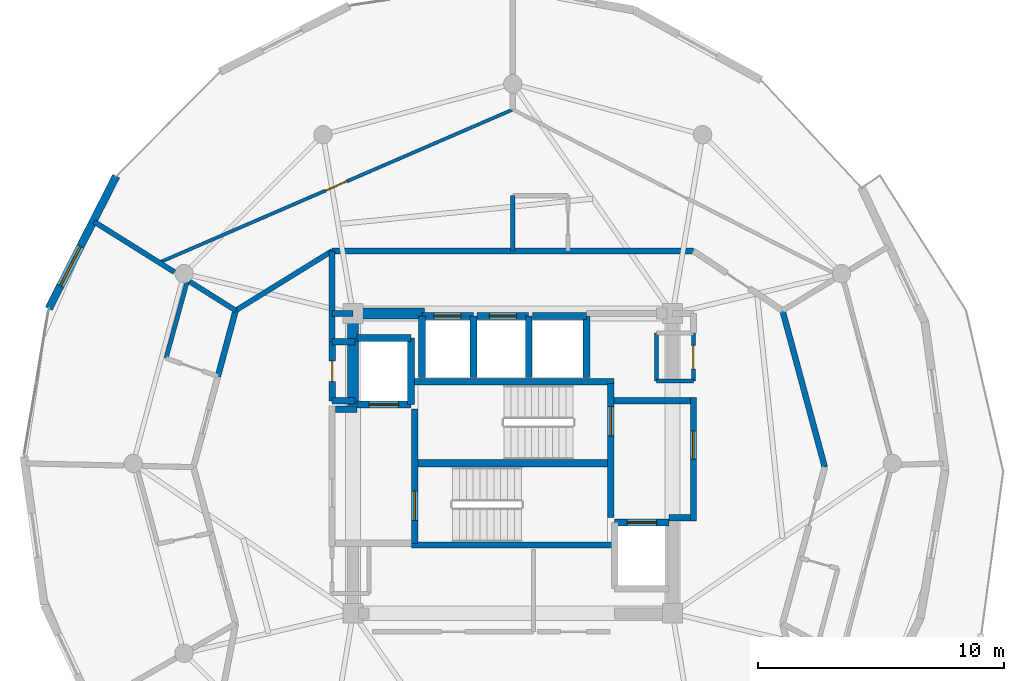
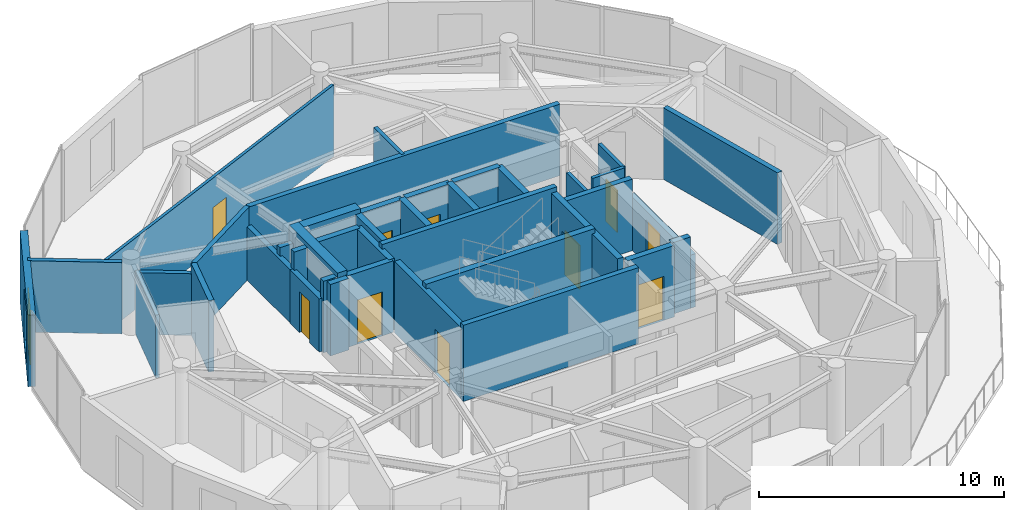
# One storey, part 19 of 23: 40 walls, 10 doors, 1 window, 11 openings.
"""IFC4 building model written with IfcOpenShell, lengths in metres."""

from ifc_helpers import new_model, si_unit, direction, frame, frame_2d, origin, place, context, subcontext, project, spatial, rectangle, extrude, material, layer, layer_set, type_object, element, fill, save


model = new_model("IFC4")

# Units and contexts
model_context = context("Model", 3, precision=1e-05, world=origin(), true_north=direction((0.0, 1.0)))
body_context = subcontext(model_context, "Body", "Model", "MODEL_VIEW")
ifc_project = project(units=[si_unit("LENGTHUNIT", "METRE"), si_unit("AREAUNIT", "SQUARE_METRE"), si_unit("VOLUMEUNIT", "CUBIC_METRE"), si_unit("PLANEANGLEUNIT", "RADIAN"), si_unit("MASSUNIT", "GRAM", prefix="KILO")], contexts=[model_context])

# Site, building, storey
site_placement = place(None, origin())
site = spatial("IfcSite", under=ifc_project, at=site_placement, CompositionType="ELEMENT")
building_placement = place(site_placement, origin())
building = spatial("IfcBuilding", under=site, at=building_placement, Name="Solvirekh Grand Hotel", CompositionType="ELEMENT")
storey_placement = place(building_placement, frame((0.0, 0.0, 282.0)))
storey = spatial("IfcBuildingStorey", under=building, at=storey_placement, Name="L73", CompositionType="ELEMENT", Elevation=282.0)

# Walls
ifc_material_1 = material(Name="Concrete C50/60", Category="concrete")
ifc_layer_1 = layer(ifc_material_1, 0.35009765625)
ifc_layer_set_1 = layer_set([ifc_layer_1], Name="Concrete C50/60")
wall_type_1 = type_object("IfcWallType", Name="CoreDivWall_RC350", PredefinedType="SOLIDWALL", material=ifc_layer_set_1)
for number, where, z_axis, x_axis, name in (
    (1, (-4.1298828125, -3.324951171875, 0.0), (0.0, 0.0, 1.0), (1.0, 0.0, 0.0), "L73 core stair box wall ST-S"),
    (2, (-4.1298828125, 3.324951171875, 0.0), (0.0, 0.0, 1.0), (1.0, 0.0, 0.0), "L73 core stair box wall ST-N"),
):
    element("IfcWall", number, at=place(storey_placement, frame(where, z_axis=z_axis, x_axis=x_axis)), inside=storey, type_object=wall_type_1, Name=name, PredefinedType="SOLIDWALL", context=body_context, shape_type="SweptSolid", body=[
        extrude(rectangle(XDim=8.259765625, YDim=0.25, at=frame_2d((4.1298828125, 0.0))), origin(), (0.0, 0.0, 1.0), 3.800048828125),
    ])

# Wall, opening, door
ifc_material_2 = material(Name="Concrete C40/50", Category="concrete")
ifc_layer_2 = layer(ifc_material_2, 0.280029296875)
ifc_layer_set_2 = layer_set([ifc_layer_2], Name="Concrete C40/50")
wall_type_2 = type_object("IfcWallType", Name="CoreShaftWall_RC280", PredefinedType="SOLIDWALL", material=ifc_layer_set_2)
wall_1_placement = place(storey_placement, frame((-1.60009765625, 6.0, 0.0), z_axis=(0.0, 0.0, 1.0), x_axis=(-1.0, 0.0, 0.0)))
wall_1 = element("IfcWall", 3, at=wall_1_placement, inside=storey, type_object=wall_type_2, Name="L73 HP-1 hoistway N wall", PredefinedType="SOLIDWALL", context=body_context, shape_type="SweptSolid", body=[
    extrude(rectangle(XDim=2.099853515625, YDim=0.280029296875, at=frame_2d((1.0498046875, 0.0))), origin(), (0.0, 0.0, 1.0), 3.570068359375),
])
opening_1_placement = place(wall_1_placement, frame((0.5, 0.0, 0.0)))
opening_1 = element("IfcOpeningElement", 4, at=opening_1_placement, cuts=wall_1, Name="Opening LD01", PredefinedType="OPENING", context=body_context, shape_type="SweptSolid", body=[
    extrude(rectangle(XDim=1.10009765625, YDim=2.199951171875, at=frame_2d((0.550048828125, 1.10009765625))), frame((0.0, 0.14990234375, 0.0), z_axis=(0.0, -1.0, 0.0), x_axis=(1.0, 0.0, 0.0)), (0.0, 0.0, 1.0), 0.300048828125),
])
ifc_material_3 = material(Name="Fire-Rated Steel Door Assembly", Category="steel")
door_type_1 = type_object("IfcDoorType", Name="Door_LiftLanding_1100X2200", OperationType="SLIDING_TO_LEFT", PredefinedType="DOOR", material=ifc_material_3)
door_1_placement = place(opening_1_placement, origin())
door_1 = element("IfcDoor", 5, at=door_1_placement, inside=storey, type_object=door_type_1, Name="L73 HP-1 sliding lift landing door", OperationType="SLIDING_TO_LEFT", OverallHeight=2.199951171875, OverallWidth=1.10009765625, PredefinedType="DOOR", context=body_context, shape_type="SweptSolid", body=[
    extrude(rectangle(XDim=1.10009765625, YDim=2.199951171875, at=frame_2d((0.550048828125, 1.10009765625))), frame((0.0, 0.02490234375, 0.0), z_axis=(0.0, -1.0, 0.0), x_axis=(1.0, 0.0, 0.0)), (0.0, 0.0, 1.0), 0.050048828125),
])
fill(opening_1, door_1)

# Walls
for number, where, z_axis, x_axis, name in (
    (6, (-3.699951171875, 6.0, 0.0), (0.0, 0.0, 1.0), (0.0, -1.0, 0.0), "L73 HP-1 hoistway W wall"),
    (7, (-1.60009765625, 3.5, 0.0), (0.0, 0.0, 1.0), (0.0, 1.0, 0.0), "L73 HP-1 hoistway E wall"),
):
    element("IfcWall", number, at=place(storey_placement, frame(where, z_axis=z_axis, x_axis=x_axis)), inside=storey, type_object=wall_type_2, Name=name, PredefinedType="SOLIDWALL", context=body_context, shape_type="SweptSolid", body=[
        extrude(rectangle(XDim=2.5, YDim=0.280029296875, at=frame_2d((1.25, 0.0))), origin(), (0.0, 0.0, 1.0), 3.570068359375),
    ])

# Wall, opening, door
wall_2_placement = place(storey_placement, frame((0.64990234375, 6.0, 0.0), z_axis=(0.0, 0.0, 1.0), x_axis=(-1.0, 0.0, 0.0)))
wall_2 = element("IfcWall", 8, at=wall_2_placement, inside=storey, type_object=wall_type_2, Name="L73 HP-2 hoistway N wall", PredefinedType="SOLIDWALL", context=body_context, shape_type="SweptSolid", body=[
    extrude(rectangle(XDim=2.099853515625, YDim=0.280029296875, at=frame_2d((1.0498046875, 0.0))), origin(), (0.0, 0.0, 1.0), 3.570068359375),
])
opening_2_placement = place(wall_2_placement, frame((0.5, 0.0, 0.0)))
opening_2 = element("IfcOpeningElement", 9, at=opening_2_placement, cuts=wall_2, Name="Opening LD01", PredefinedType="OPENING", context=body_context, shape_type="SweptSolid", body=[
    extrude(rectangle(XDim=1.10009765625, YDim=2.199951171875, at=frame_2d((0.550048828125, 1.10009765625))), frame((0.0, 0.14990234375, 0.0), z_axis=(0.0, -1.0, 0.0), x_axis=(1.0, 0.0, 0.0)), (0.0, 0.0, 1.0), 0.300048828125),
])
door_2_placement = place(opening_2_placement, origin())
door_2 = element("IfcDoor", 10, at=door_2_placement, inside=storey, type_object=door_type_1, Name="L73 HP-2 sliding lift landing door", OperationType="SLIDING_TO_LEFT", OverallHeight=2.199951171875, OverallWidth=1.10009765625, PredefinedType="DOOR", context=body_context, shape_type="SweptSolid", body=[
    extrude(rectangle(XDim=1.10009765625, YDim=2.199951171875, at=frame_2d((0.550048828125, 1.10009765625))), frame((0.0, 0.02490234375, 0.0), z_axis=(0.0, -1.0, 0.0), x_axis=(1.0, 0.0, 0.0)), (0.0, 0.0, 1.0), 0.050048828125),
])
fill(opening_2, door_2)

# Walls
wall_3_placement = place(storey_placement, frame((0.64990234375, 3.5, 0.0), z_axis=(0.0, 0.0, 1.0), x_axis=(0.0, 1.0, 0.0)))
element("IfcWall", 11, at=wall_3_placement, inside=storey, type_object=wall_type_2, Name="L73 HP-2 hoistway E wall", PredefinedType="SOLIDWALL", context=body_context, shape_type="SweptSolid", body=[
    extrude(rectangle(XDim=2.5, YDim=0.280029296875, at=frame_2d((1.25, 0.0))), origin(), (0.0, 0.0, 1.0), 3.570068359375),
])
wall_4_placement = place(storey_placement, frame((3.0, 6.0, 0.0), z_axis=(0.0, 0.0, 1.0), x_axis=(-1.0, 0.0, 0.0)))
element("IfcWall", 12, at=wall_4_placement, inside=storey, type_object=wall_type_2, Name="L73 EX-1 hoistway N wall", PredefinedType="SOLIDWALL", context=body_context, shape_type="SweptSolid", body=[
    extrude(rectangle(XDim=2.199951171875, YDim=0.280029296875, at=frame_2d((1.10009765625, 0.0))), origin(), (0.0, 0.0, 1.0), 3.570068359375),
])
wall_5_placement = place(storey_placement, frame((3.0, 3.5, 0.0), z_axis=(0.0, 0.0, 1.0), x_axis=(0.0, 1.0, 0.0)))
element("IfcWall", 13, at=wall_5_placement, inside=storey, type_object=wall_type_2, Name="L73 EX-1 hoistway E wall", PredefinedType="SOLIDWALL", context=body_context, shape_type="SweptSolid", body=[
    extrude(rectangle(XDim=2.5, YDim=0.280029296875, at=frame_2d((1.25, 0.0))), origin(), (0.0, 0.0, 1.0), 3.570068359375),
])

# Wall, opening, door
wall_6_placement = place(storey_placement, frame((-6.35009765625, 2.39990234375, 0.0), z_axis=(0.0, 0.0, 1.0), x_axis=(1.0, 0.0, 0.0)))
wall_6 = element("IfcWall", 14, at=wall_6_placement, inside=storey, type_object=wall_type_2, Name="L73 FL-1 hoistway S wall", PredefinedType="SOLIDWALL", context=body_context, shape_type="SweptSolid", body=[
    extrude(rectangle(XDim=2.2001953125, YDim=0.280029296875, at=frame_2d((1.10009765625, 0.0))), origin(), (0.0, 0.0, 1.0), 3.570068359375),
])
opening_3_placement = place(wall_6_placement, frame((0.5, 0.0, 0.0)))
opening_3 = element("IfcOpeningElement", 15, at=opening_3_placement, cuts=wall_6, Name="Opening LD02", PredefinedType="OPENING", context=body_context, shape_type="SweptSolid", body=[
    extrude(rectangle(XDim=1.199951171875, YDim=2.199951171875, at=frame_2d((0.60009765625, 1.10009765625))), frame((0.0, 0.14990234375, 0.0), z_axis=(0.0, -1.0, 0.0), x_axis=(1.0, 0.0, 0.0)), (0.0, 0.0, 1.0), 0.300048828125),
])
door_type_2 = type_object("IfcDoorType", Name="Door_LiftFF_1200X2200", OperationType="SLIDING_TO_LEFT", PredefinedType="DOOR", material=ifc_material_3)
door_3_placement = place(opening_3_placement, origin())
door_3 = element("IfcDoor", 16, at=door_3_placement, inside=storey, type_object=door_type_2, Name="L73 FL-1 sliding lift landing door", OperationType="SLIDING_TO_LEFT", OverallHeight=2.199951171875, OverallWidth=1.199951171875, PredefinedType="DOOR", context=body_context, shape_type="SweptSolid", body=[
    extrude(rectangle(XDim=1.199951171875, YDim=2.199951171875, at=frame_2d((0.60009765625, 1.10009765625))), frame((0.0, 0.02490234375, 0.0), z_axis=(0.0, -1.0, 0.0), x_axis=(1.0, 0.0, 0.0)), (0.0, 0.0, 1.0), 0.050048828125),
])
fill(opening_3, door_3)

# Walls
wall_7_placement = place(storey_placement, frame((-4.14990234375, 5.10009765625, 0.0), z_axis=(0.0, 0.0, 1.0), x_axis=(-1.0, 0.0, 0.0)))
element("IfcWall", 17, at=wall_7_placement, inside=storey, type_object=wall_type_2, Name="L73 FL-1 hoistway N wall", PredefinedType="SOLIDWALL", context=body_context, shape_type="SweptSolid", body=[
    extrude(rectangle(XDim=2.2001953125, YDim=0.280029296875, at=frame_2d((1.10009765625, 0.0))), origin(), (0.0, 0.0, 1.0), 3.570068359375),
])
wall_8_placement = place(storey_placement, frame((-4.14990234375, 2.39990234375, 0.0), z_axis=(0.0, 0.0, 1.0), x_axis=(0.0, 1.0, 0.0)))
element("IfcWall", 18, at=wall_8_placement, inside=storey, type_object=wall_type_2, Name="L73 FL-1 hoistway E wall", PredefinedType="SOLIDWALL", context=body_context, shape_type="SweptSolid", body=[
    extrude(rectangle(XDim=2.7001953125, YDim=0.280029296875, at=frame_2d((1.35009765625, 0.0))), origin(), (0.0, 0.0, 1.0), 3.570068359375),
])

# Wall, opening, door
wall_9_placement = place(storey_placement, frame((6.35009765625, -2.39990234375, 0.0), z_axis=(0.0, 0.0, 1.0), x_axis=(-1.0, 0.0, 0.0)))
wall_9 = element("IfcWall", 19, at=wall_9_placement, inside=storey, type_object=wall_type_2, Name="L73 FL-2 hoistway N wall", PredefinedType="SOLIDWALL", context=body_context, shape_type="SweptSolid", body=[
    extrude(rectangle(XDim=2.2001953125, YDim=0.280029296875, at=frame_2d((1.10009765625, 0.0))), origin(), (0.0, 0.0, 1.0), 3.570068359375),
])
opening_4_placement = place(wall_9_placement, frame((0.5, 0.0, 0.0)))
opening_4 = element("IfcOpeningElement", 20, at=opening_4_placement, cuts=wall_9, Name="Opening LD02", PredefinedType="OPENING", context=body_context, shape_type="SweptSolid", body=[
    extrude(rectangle(XDim=1.199951171875, YDim=2.199951171875, at=frame_2d((0.60009765625, 1.10009765625))), frame((0.0, 0.14990234375, 0.0), z_axis=(0.0, -1.0, 0.0), x_axis=(1.0, 0.0, 0.0)), (0.0, 0.0, 1.0), 0.300048828125),
])
door_4_placement = place(opening_4_placement, origin())
door_4 = element("IfcDoor", 21, at=door_4_placement, inside=storey, type_object=door_type_2, Name="L73 FL-2 sliding lift landing door", OperationType="SLIDING_TO_LEFT", OverallHeight=2.199951171875, OverallWidth=1.199951171875, PredefinedType="DOOR", context=body_context, shape_type="SweptSolid", body=[
    extrude(rectangle(XDim=1.199951171875, YDim=2.199951171875, at=frame_2d((0.60009765625, 1.10009765625))), frame((0.0, 0.02490234375, 0.0), z_axis=(0.0, -1.0, 0.0), x_axis=(1.0, 0.0, 0.0)), (0.0, 0.0, 1.0), 0.050048828125),
])
fill(opening_4, door_4)

wall_10_placement = place(storey_placement, frame((-3.989990234375, -3.25, 0.0), z_axis=(0.0, 0.0, 1.0), x_axis=(0.0, 1.0, 0.0)))
wall_10 = element("IfcWall", 22, at=wall_10_placement, inside=storey, type_object=wall_type_2, Name="L73 west stair landing enclosure wall", PredefinedType="SOLIDWALL", context=body_context, shape_type="SweptSolid", body=[
    extrude(rectangle(XDim=5.4599609375, YDim=0.280029296875, at=frame_2d((2.72998046875, 0.0))), origin(), (0.0, 0.0, 1.0), 3.570068359375),
])
opening_5_placement = place(wall_10_placement, frame((0.93701171875, 0.0, 0.0)))
opening_5 = element("IfcOpeningElement", 23, at=opening_5_placement, cuts=wall_10, Name="Opening D05", PredefinedType="OPENING", context=body_context, shape_type="SweptSolid", body=[
    extrude(rectangle(XDim=1.199951171875, YDim=2.199951171875, at=frame_2d((0.60009765625, 1.10009765625))), frame((0.0, 0.14990234375, 0.0), z_axis=(0.0, -1.0, 0.0), x_axis=(1.0, 0.0, 0.0)), (0.0, 0.0, 1.0), 0.300048828125),
])
door_type_3 = type_object("IfcDoorType", Name="Door_StairCore_1200X2200", OperationType="NOTDEFINED", PredefinedType="DOOR", material=ifc_material_3)
door_5_placement = place(opening_5_placement, origin())
door_5 = element("IfcDoor", 24, at=door_5_placement, inside=storey, type_object=door_type_3, Name="L73 exit stair ST-1 fire door", OperationType="SINGLE_SWING_RIGHT", OverallHeight=2.199951171875, OverallWidth=1.199951171875, PredefinedType="DOOR", context=body_context, shape_type="SweptSolid", body=[
    extrude(rectangle(XDim=1.199951171875, YDim=2.199951171875, at=frame_2d((0.60009765625, 1.10009765625))), frame((0.0, 0.02490234375, 0.0), z_axis=(0.0, -1.0, 0.0), x_axis=(1.0, 0.0, 0.0)), (0.0, 0.0, 1.0), 0.050048828125),
])
fill(opening_5, door_5)

wall_11_placement = place(storey_placement, frame((3.989990234375, -2.2099609375, 0.0), z_axis=(0.0, 0.0, 1.0), x_axis=(0.0, 1.0, 0.0)))
wall_11 = element("IfcWall", 25, at=wall_11_placement, inside=storey, type_object=wall_type_2, Name="L73 east stair landing enclosure wall", PredefinedType="SOLIDWALL", context=body_context, shape_type="SweptSolid", body=[
    extrude(rectangle(XDim=5.4599609375, YDim=0.280029296875, at=frame_2d((2.72998046875, 0.0))), origin(), (0.0, 0.0, 1.0), 3.570068359375),
])
opening_6_placement = place(wall_11_placement, frame((3.322998046875, 0.0, 0.0)))
opening_6 = element("IfcOpeningElement", 26, at=opening_6_placement, cuts=wall_11, Name="Opening D05", PredefinedType="OPENING", context=body_context, shape_type="SweptSolid", body=[
    extrude(rectangle(XDim=1.199951171875, YDim=2.199951171875, at=frame_2d((0.60009765625, 1.10009765625))), frame((0.0, 0.14990234375, 0.0), z_axis=(0.0, -1.0, 0.0), x_axis=(1.0, 0.0, 0.0)), (0.0, 0.0, 1.0), 0.300048828125),
])
door_6_placement = place(opening_6_placement, origin())
door_6 = element("IfcDoor", 27, at=door_6_placement, inside=storey, type_object=door_type_3, Name="L73 exit stair ST-2 fire door", OperationType="SINGLE_SWING_LEFT", OverallHeight=2.199951171875, OverallWidth=1.199951171875, PredefinedType="DOOR", context=body_context, shape_type="SweptSolid", body=[
    extrude(rectangle(XDim=1.199951171875, YDim=2.199951171875, at=frame_2d((0.60009765625, 1.10009765625))), frame((0.0, 0.02490234375, 0.0), z_axis=(0.0, -1.0, 0.0), x_axis=(1.0, 0.0, 0.0)), (0.0, 0.0, 1.0), 0.050048828125),
])
fill(opening_6, door_6)

# Walls
ifc_layer_3 = layer(ifc_material_1, 0.449951171875)
ifc_layer_set_3 = layer_set([ifc_layer_3], Name="Concrete C50/60")
wall_type_3 = type_object("IfcWallType", Name="CoreWall_RC450", PredefinedType="SHEAR", material=ifc_layer_set_3)
wall_12_placement = place(storey_placement, frame((-3.989990234375, 0.0, 0.0), z_axis=(0.0, 0.0, 1.0), x_axis=(1.0, 0.0, 0.0)))
element("IfcWall", 28, at=wall_12_placement, inside=storey, type_object=wall_type_3, Name="L73 central stair-spine shear wall", PredefinedType="SHEAR", context=body_context, shape_type="SweptSolid", body=[
    extrude(rectangle(XDim=7.97998046875, YDim=0.300048828125, at=frame_2d((3.989990234375, 0.0))), origin(), (0.0, 0.0, 1.0), 3.800048828125),
])
wall_13_placement = place(storey_placement, frame((-6.27490234375, 6.10009765625, 0.0), z_axis=(0.0, 0.0, 1.0), x_axis=(1.0, 0.0, 0.0)))
element("IfcWall", 29, at=wall_13_placement, inside=storey, type_object=wall_type_3, Name="L73 core corner shear wall NW-N", PredefinedType="SHEAR", context=body_context, shape_type="SweptSolid", body=[
    extrude(rectangle(XDim=2.6748046875, YDim=0.449951171875, at=frame_2d((1.33740234375, 0.0))), origin(), (0.0, 0.0, 1.0), 3.800048828125),
])
wall_14_placement = place(storey_placement, frame((-6.5, 2.35009765625, 0.0), z_axis=(0.0, 0.0, 1.0), x_axis=(0.0, 1.0, 0.0)))
element("IfcWall", 30, at=wall_14_placement, inside=storey, type_object=wall_type_3, Name="L73 core corner shear wall WN-W", PredefinedType="SHEAR", context=body_context, shape_type="SweptSolid", body=[
    extrude(rectangle(XDim=3.974853515625, YDim=0.449951171875, at=frame_2d((1.9873046875, 0.0))), origin(), (0.0, 0.0, 1.0), 3.800048828125),
])

# Wall, opening, window
ifc_material_4 = material(Name="Precast concrete C45/55", Category="concrete")
ifc_layer_4 = layer(ifc_material_4, 0.320068359375)
ifc_layer_set_4 = layer_set([ifc_layer_4], Name="Precast concrete C45/55")
wall_type_4 = type_object("IfcWallType", Name="ExtLobbyWall_RC320", PredefinedType="SOLIDWALL", material=ifc_layer_set_4)
wall_15_placement = place(storey_placement, frame((-18.887939453125, 6.299072265625, 0.0), z_axis=(0.0, 0.0, 1.0), x_axis=(0.453783790234, 0.891111817743, 0.0)))
wall_15 = element("IfcWall", 31, at=wall_15_placement, inside=storey, type_object=wall_type_4, Name="L73 exterior structural wall chord 14", PredefinedType="SOLIDWALL", context=body_context, shape_type="SweptSolid", body=[
    extrude(rectangle(XDim=6.05322265625, YDim=0.320068359375, at=frame_2d((3.026611328125, 0.0))), origin(), (0.0, 0.0, 1.0), 3.570068359375),
])
opening_7_placement = place(wall_15_placement, frame((1.0458984375, 0.0, 0.35009765625)))
opening_7 = element("IfcOpeningElement", 32, at=opening_7_placement, cuts=wall_15, Name="Opening W02", PredefinedType="OPENING", context=body_context, shape_type="SweptSolid", body=[
    extrude(rectangle(XDim=1.800048828125, YDim=2.60009765625, at=frame_2d((0.89990234375, 1.300048828125))), frame((0.0, 0.169921875, 0.0), z_axis=(0.0, -1.0, 0.0), x_axis=(1.0, 0.0, 0.0)), (0.0, 0.0, 1.0), 0.340087890625),
])
ifc_material_5 = material(Name="Low-E Tinted Bronze Laminated Glass", Category="aluminium")
window_type = type_object("IfcWindowType", Name="Win_LobbyExt_1800X2600", PartitioningType="SINGLE_PANEL", PredefinedType="WINDOW", material=ifc_material_5)
window_placement = place(opening_7_placement, origin())
window = element("IfcWindow", 33, at=window_placement, inside=storey, type_object=window_type, Name="L73 panoramic bronze-framed window 14", OverallHeight=2.60009765625, OverallWidth=1.800048828125, PartitioningType="SINGLE_PANEL", PredefinedType="WINDOW", context=body_context, shape_type="SweptSolid", body=[
    extrude(rectangle(XDim=1.800048828125, YDim=2.60009765625, at=frame_2d((0.89990234375, 1.300048828125))), frame((0.0, 0.030029296875, 0.0), z_axis=(0.0, -1.0, 0.0), x_axis=(1.0, 0.0, 0.0)), (0.0, 0.0, 1.0), 0.06005859375),
])
fill(opening_7, window)

# Wall
ifc_material_6 = material(Name="Acoustic Gypsum Partition Assembly")
ifc_layer_5 = layer(ifc_material_6, 0.1650390625)
ifc_layer_set_5 = layer_set([ifc_layer_5], Name="Acoustic Gypsum Partition Assembly")
wall_type_5 = type_object("IfcWallType", Name="Part_BOH_165", PredefinedType="PARTITIONING", material=ifc_layer_set_5)
wall_16_placement = place(storey_placement, frame((5.85009765625, 3.35009765625, 0.0), z_axis=(0.0, 0.0, 1.0), x_axis=(1.0, 0.0, 0.0)))
element("IfcWall", 34, at=wall_16_placement, inside=storey, type_object=wall_type_5, Name="L73 L73 Core Housekeeping Room wall 1", PredefinedType="PARTITIONING", context=body_context, shape_type="SweptSolid", body=[
    extrude(rectangle(XDim=1.5, YDim=0.1650390625, at=frame_2d((0.75, 0.0))), origin(), (0.0, 0.0, 1.0), 3.570068359375),
])

# Wall, opening, door
wall_17_placement = place(storey_placement, frame((7.35009765625, 3.35009765625, 0.0), z_axis=(0.0, 0.0, 1.0), x_axis=(0.0, 1.0, 0.0)))
wall_17 = element("IfcWall", 35, at=wall_17_placement, inside=storey, type_object=wall_type_5, Name="L73 L73 Core Housekeeping Room wall 2", PredefinedType="PARTITIONING", context=body_context, shape_type="SweptSolid", body=[
    extrude(rectangle(XDim=1.949951171875, YDim=0.1650390625, at=frame_2d((0.97509765625, 0.0))), origin(), (0.0, 0.0, 1.0), 3.570068359375),
])
opening_8_placement = place(wall_17_placement, frame((0.5, 0.0, 0.0)))
opening_8 = element("IfcOpeningElement", 36, at=opening_8_placement, cuts=wall_17, Name="Opening D10", PredefinedType="OPENING", context=body_context, shape_type="SweptSolid", body=[
    extrude(rectangle(XDim=0.949951171875, YDim=2.10009765625, at=frame_2d((0.47509765625, 1.050048828125))), frame((0.0, 0.092529296875, 0.0), z_axis=(0.0, -1.0, 0.0), x_axis=(1.0, 0.0, 0.0)), (0.0, 0.0, 1.0), 0.18505859375),
])
ifc_material_7 = material(Name="Anodized Bronze Aluminium 6063-T6", Category="aluminium")
door_type_4 = type_object("IfcDoorType", Name="Door_RoomInt_950X2100", OperationType="NOTDEFINED", PredefinedType="DOOR", material=ifc_material_7)
door_7_placement = place(opening_8_placement, origin())
door_7 = element("IfcDoor", 37, at=door_7_placement, inside=storey, type_object=door_type_4, Name="L73 L73 Core Housekeeping Room door", OperationType="SINGLE_SWING_RIGHT", OverallHeight=2.10009765625, OverallWidth=0.949951171875, PredefinedType="DOOR", context=body_context, shape_type="SweptSolid", body=[
    extrude(rectangle(XDim=0.949951171875, YDim=2.10009765625, at=frame_2d((0.47509765625, 1.050048828125))), frame((0.0, 0.02490234375, 0.0), z_axis=(0.0, -1.0, 0.0), x_axis=(1.0, 0.0, 0.0)), (0.0, 0.0, 1.0), 0.050048828125),
])
fill(opening_8, door_7)

# Wall
wall_18_placement = place(storey_placement, frame((5.85009765625, 5.300048828125, 0.0), z_axis=(0.0, 0.0, 1.0), x_axis=(0.0, -1.0, 0.0)))
element("IfcWall", 38, at=wall_18_placement, inside=storey, type_object=wall_type_5, Name="L73 L73 Core Housekeeping Room wall 4", PredefinedType="PARTITIONING", context=body_context, shape_type="SweptSolid", body=[
    extrude(rectangle(XDim=1.949951171875, YDim=0.1650390625, at=frame_2d((0.97509765625, 0.0))), origin(), (0.0, 0.0, 1.0), 2.655029296875),
])

# Wall, opening, door
ifc_layer_6 = layer(ifc_material_6, 0.239990234375)
ifc_layer_set_6 = layer_set([ifc_layer_6], Name="Acoustic Gypsum Partition Assembly")
wall_type_6 = type_object("IfcWallType", Name="Part_Corridor_240", PredefinedType="PARTITIONING", material=ifc_layer_set_6)
wall_19_placement = place(storey_placement, frame((7.35009765625, -2.340087890625, 0.0), z_axis=(0.0, 0.0, 1.0), x_axis=(0.0, 1.0, 0.0)))
wall_19 = element("IfcWall", 39, at=wall_19_placement, inside=storey, type_object=wall_type_6, Name="L73 east firefighting lobby smoke screen wall", PredefinedType="PARTITIONING", context=body_context, shape_type="SweptSolid", body=[
    extrude(rectangle(XDim=5.02001953125, YDim=0.239990234375, at=frame_2d((2.510009765625, 0.0))), origin(), (0.0, 0.0, 1.0), 2.655029296875),
])
opening_9_placement = place(wall_19_placement, frame((2.514892578125, 0.0, 0.0)))
opening_9 = element("IfcOpeningElement", 40, at=opening_9_placement, cuts=wall_19, Name="Opening D06", PredefinedType="OPENING", context=body_context, shape_type="SweptSolid", body=[
    extrude(rectangle(XDim=1.14990234375, YDim=2.199951171875, at=frame_2d((0.574951171875, 1.10009765625))), frame((0.0, 0.1298828125, 0.0), z_axis=(0.0, -1.0, 0.0), x_axis=(1.0, 0.0, 0.0)), (0.0, 0.0, 1.0), 0.260009765625),
])
door_type_5 = type_object("IfcDoorType", Name="Door_FFLobby_1150X2200", OperationType="NOTDEFINED", PredefinedType="DOOR", material=ifc_material_3)
door_8_placement = place(opening_9_placement, origin())
door_8 = element("IfcDoor", 41, at=door_8_placement, inside=storey, type_object=door_type_5, Name="L73 east firefighting lobby smoke door", OperationType="SINGLE_SWING_LEFT", OverallHeight=2.199951171875, OverallWidth=1.14990234375, PredefinedType="DOOR", context=body_context, shape_type="SweptSolid", body=[
    extrude(rectangle(XDim=1.14990234375, YDim=2.199951171875, at=frame_2d((0.574951171875, 1.10009765625))), frame((0.0, 0.02490234375, 0.0), z_axis=(0.0, -1.0, 0.0), x_axis=(1.0, 0.0, 0.0)), (0.0, 0.0, 1.0), 0.050048828125),
])
fill(opening_9, door_8)

# Walls
wall_20_placement = place(storey_placement, frame((-7.35009765625, 8.64990234375, 0.0), z_axis=(0.0, 0.0, 1.0), x_axis=(1.0, 0.0, 0.0)))
element("IfcWall", 42, at=wall_20_placement, inside=storey, type_object=wall_type_6, Name="L73 north lift lobby enclosure wall", PredefinedType="PARTITIONING", context=body_context, shape_type="SweptSolid", body=[
    extrude(rectangle(XDim=14.7001953125, YDim=0.239990234375, at=frame_2d((7.35009765625, 0.0))), origin(), (0.0, 0.0, 1.0), 3.570068359375),
])
wall_21_placement = place(storey_placement, frame((-7.35009765625, 4.949951171875, 0.0), z_axis=(0.0, 0.0, 1.0), x_axis=(0.0, 1.0, 0.0)))
element("IfcWall", 43, at=wall_21_placement, inside=storey, type_object=wall_type_6, Name="L73 north lift lobby west wall", PredefinedType="PARTITIONING", context=body_context, shape_type="SweptSolid", body=[
    extrude(rectangle(XDim=3.699951171875, YDim=0.239990234375, at=frame_2d((1.85009765625, 0.0))), origin(), (0.0, 0.0, 1.0), 2.655029296875),
])
wall_22_placement = place(storey_placement, frame((-7.35009765625, 6.10009765625, 0.0), z_axis=(0.0, 0.0, 1.0), x_axis=(1.0, 0.0, 0.0)))
element("IfcWall", 44, at=wall_22_placement, inside=storey, type_object=wall_type_6, Name="L73 NW core corner closure wall", PredefinedType="PARTITIONING", context=body_context, shape_type="SweptSolid", body=[
    extrude(rectangle(XDim=0.85009765625, YDim=0.239990234375, at=frame_2d((0.425048828125, 0.0))), origin(), (0.0, 0.0, 1.0), 3.0849609375),
])
wall_23_placement = place(storey_placement, frame((-11.278076171875, 6.22509765625, 0.0), z_axis=(0.0, 0.0, 1.0), x_axis=(-0.260614169726, -0.965443035367, 0.0)))
element("IfcWall", 45, at=wall_23_placement, inside=storey, type_object=wall_type_6, Name="L73 En-suite Bathroom 7502 corridor backing wall", PredefinedType="PARTITIONING", context=body_context, shape_type="SweptSolid", body=[
    extrude(rectangle(XDim=2.77392578125, YDim=0.239990234375, at=frame_2d((1.386962890625, 0.0))), origin(), (0.0, 0.0, 1.0), 3.570068359375),
])
wall_24_placement = place(storey_placement, frame((12.699951171875, -0.14990234375, 0.0), z_axis=(0.0, 0.0, 1.0), x_axis=(-0.260760959349, 0.965403398626, 0.0)))
element("IfcWall", 46, at=wall_24_placement, inside=storey, type_object=wall_type_6, Name="L73 Executive Suite 7504 Living Room corridor wall 1", PredefinedType="PARTITIONING", context=body_context, shape_type="SweptSolid", body=[
    extrude(rectangle(XDim=6.603515625, YDim=0.239990234375, at=frame_2d((3.3017578125, 0.0))), origin(), (0.0, 0.0, 1.0), 3.570068359375),
])
ifc_layer_7 = layer(ifc_material_6, 0.260009765625)
ifc_layer_set_7 = layer_set([ifc_layer_7], Name="Acoustic Gypsum Partition Assembly")
wall_type_7 = type_object("IfcWallType", Name="Part_LobbyFF_260", PredefinedType="PARTITIONING", material=ifc_layer_set_7)
for number, where, z_axis, x_axis, name in (
    (47, (-7.22509765625, 2.2099609375, 0.0), (0.0, 0.0, 1.0), (1.0, 0.0, 0.0), "L73 west firefighting lobby NW cheek"),
    (48, (6.35009765625, -2.2099609375, 0.0), (0.0, 0.0, 1.0), (1.0, 0.0, 0.0), "L73 east firefighting lobby SE cheek"),
):
    element("IfcWall", number, at=place(storey_placement, frame(where, z_axis=z_axis, x_axis=x_axis)), inside=storey, type_object=wall_type_7, Name=name, PredefinedType="PARTITIONING", context=body_context, shape_type="SweptSolid", body=[
        extrude(rectangle(XDim=0.875, YDim=0.260009765625, at=frame_2d((0.4375, 0.0))), origin(), (0.0, 0.0, 1.0), 3.570068359375),
    ])
wall_25_placement = place(storey_placement, frame((4.1298828125, 2.550048828125, 0.0), z_axis=(0.0, 0.0, 1.0), x_axis=(1.0, 0.0, 0.0)))
element("IfcWall", 49, at=wall_25_placement, inside=storey, type_object=wall_type_7, Name="L73 east firefighting lobby north partition", PredefinedType="PARTITIONING", context=body_context, shape_type="SweptSolid", body=[
    extrude(rectangle(XDim=3.09521484375, YDim=0.260009765625, at=frame_2d((1.547607421875, 0.0))), origin(), (0.0, 0.0, 1.0), 3.570068359375),
])
for number, where, z_axis, x_axis, name in (
    (50, (-7.35009765625, 4.949951171875, 0.0), (0.0, 0.0, 1.0), (1.0, 0.0, 0.0), "L73 NW telecom metering cupboard north wall"),
    (51, (-7.35009765625, 2.550048828125, 0.0), (0.0, 0.0, 1.0), (1.0, 0.0, 0.0), "L73 NW telecom metering cupboard south wall"),
):
    element("IfcWall", number, at=place(storey_placement, frame(where, z_axis=z_axis, x_axis=x_axis)), inside=storey, type_object=wall_type_7, Name=name, PredefinedType="PARTITIONING", context=body_context, shape_type="SweptSolid", body=[
        extrude(rectangle(XDim=0.93017578125, YDim=0.260009765625, at=frame_2d((0.465087890625, 0.0))), origin(), (0.0, 0.0, 1.0), 3.570068359375),
    ])

# Wall, opening, door
wall_26_placement = place(storey_placement, frame((-7.35009765625, 2.550048828125, 0.0), z_axis=(0.0, 0.0, 1.0), x_axis=(0.0, 1.0, 0.0)))
wall_26 = element("IfcWall", 52, at=wall_26_placement, inside=storey, type_object=wall_type_7, Name="L73 NW telecom metering cupboard access wall", PredefinedType="PARTITIONING", context=body_context, shape_type="SweptSolid", body=[
    extrude(rectangle(XDim=2.39990234375, YDim=0.260009765625, at=frame_2d((1.199951171875, 0.0))), origin(), (0.0, 0.0, 1.0), 2.655029296875),
])
opening_10_placement = place(wall_26_placement, frame((0.77490234375, 0.0, 0.0)))
opening_10 = element("IfcOpeningElement", 53, at=opening_10_placement, cuts=wall_26, Name="Opening D13", PredefinedType="OPENING", context=body_context, shape_type="SweptSolid", body=[
    extrude(rectangle(XDim=0.85009765625, YDim=2.050048828125, at=frame_2d((0.425048828125, 1.02490234375))), frame((0.0, 0.14013671875, 0.0), z_axis=(0.0, -1.0, 0.0), x_axis=(1.0, 0.0, 0.0)), (0.0, 0.0, 1.0), 0.280029296875),
])
door_type_6 = type_object("IfcDoorType", Name="Door_RiserShaft_850X2050", OperationType="NOTDEFINED", PredefinedType="DOOR", material=ifc_material_3)
door_9_placement = place(opening_10_placement, origin())
door_9 = element("IfcDoor", 54, at=door_9_placement, inside=storey, type_object=door_type_6, Name="L73 telecom metering cupboard access door", OperationType="SINGLE_SWING_RIGHT", OverallHeight=2.050048828125, OverallWidth=0.85009765625, PredefinedType="DOOR", context=body_context, shape_type="SweptSolid", body=[
    extrude(rectangle(XDim=0.85009765625, YDim=2.050048828125, at=frame_2d((0.425048828125, 1.02490234375))), frame((0.0, 0.02490234375, 0.0), z_axis=(0.0, -1.0, 0.0), x_axis=(1.0, 0.0, 0.0)), (0.0, 0.0, 1.0), 0.050048828125),
])
fill(opening_10, door_9)

ifc_layer_8 = layer(ifc_material_6, 0.135009765625)
ifc_layer_set_8 = layer_set([ifc_layer_8], Name="Acoustic Gypsum Partition Assembly")
wall_type_8 = type_object("IfcWallType", Name="Part_RoomInt_135", PredefinedType="PARTITIONING", material=ifc_layer_set_8)
wall_27_placement = place(storey_placement, frame((-14.389892578125, 8.176025390625, 0.0), z_axis=(0.0, 0.0, 1.0), x_axis=(0.917754899872, 0.397147257022, 0.0)))
wall_27 = element("IfcWall", 55, at=wall_27_placement, inside=storey, type_object=wall_type_8, Name="L73 Panorama Suite 7501 Observatory Library bedroom screen wall", PredefinedType="PARTITIONING", context=body_context, shape_type="SweptSolid", body=[
    extrude(rectangle(XDim=15.679443359375, YDim=0.135009765625, at=frame_2d((7.83984375, 0.0))), origin(), (0.0, 0.0, 1.0), 3.570068359375),
])
opening_11_placement = place(wall_27_placement, frame((7.364990234375, 0.0, 0.0)))
opening_11 = element("IfcOpeningElement", 56, at=opening_11_placement, cuts=wall_27, Name="Opening D10", PredefinedType="OPENING", context=body_context, shape_type="SweptSolid", body=[
    extrude(rectangle(XDim=0.949951171875, YDim=2.10009765625, at=frame_2d((0.47509765625, 1.050048828125))), frame((0.0, 0.07763671875, 0.0), z_axis=(0.0, -1.0, 0.0), x_axis=(1.0, 0.0, 0.0)), (0.0, 0.0, 1.0), 0.155029296875),
])
door_10_placement = place(opening_11_placement, origin())
door_10 = element("IfcDoor", 57, at=door_10_placement, inside=storey, type_object=door_type_4, Name="L73 Panorama Suite 7501 Observatory Library master bedroom door", OperationType="SINGLE_SWING_RIGHT", OverallHeight=2.10009765625, OverallWidth=0.949951171875, PredefinedType="DOOR", context=body_context, shape_type="SweptSolid", body=[
    extrude(rectangle(XDim=0.949951171875, YDim=2.10009765625, at=frame_2d((0.47509765625, 1.050048828125))), frame((0.0, 0.02490234375, 0.0), z_axis=(0.0, -1.0, 0.0), x_axis=(1.0, 0.0, 0.0)), (0.0, 0.0, 1.0), 0.050048828125),
])
fill(opening_11, door_10)

# Walls
ifc_layer_9 = layer(ifc_material_6, 0.2099609375)
ifc_layer_set_9 = layer_set([ifc_layer_9], Name="Acoustic Gypsum Partition Assembly")
wall_type_9 = type_object("IfcWallType", Name="Part_SuiteDemise_210", PredefinedType="PARTITIONING", material=ifc_layer_set_9)
wall_28_placement = place(storey_placement, frame((-11.278076171875, 6.22509765625, 0.0), z_axis=(0.0, 0.0, 1.0), x_axis=(-0.847328563413, 0.531069021525, 0.0)))
element("IfcWall", 58, at=wall_28_placement, inside=storey, type_object=wall_type_9, Name="L73 suite radial wall 6 (A)", PredefinedType="PARTITIONING", context=body_context, shape_type="SweptSolid", body=[
    extrude(rectangle(XDim=2.214111328125, YDim=0.2099609375, at=frame_2d((1.10693359375, 0.0))), origin(), (0.0, 0.0, 1.0), 3.0849609375),
])
wall_29_placement = place(storey_placement, frame((-13.77001953125, 7.787109375, 0.0), z_axis=(0.0, 0.0, 1.0), x_axis=(-0.847251407525, 0.531192105031, 0.0)))
element("IfcWall", 59, at=wall_29_placement, inside=storey, type_object=wall_type_9, Name="L73 suite radial wall 6 (B)", PredefinedType="PARTITIONING", context=body_context, shape_type="SweptSolid", body=[
    extrude(rectangle(XDim=3.860595703125, YDim=0.2099609375, at=frame_2d((1.93017578125, 0.0))), origin(), (0.0, 0.0, 1.0), 3.570068359375),
])
wall_30_placement = place(storey_placement, frame((-11.278076171875, 6.22509765625, 0.0), z_axis=(0.0, 0.0, 1.0), x_axis=(0.85092385233, 0.525289060933, 0.0)))
element("IfcWall", 60, at=wall_30_placement, inside=storey, type_object=wall_type_9, Name="L73 Panorama Suite 7501 Inner Suite Lounge dividing partition 1", PredefinedType="PARTITIONING", context=body_context, shape_type="SweptSolid", body=[
    extrude(rectangle(XDim=4.6162109375, YDim=0.2099609375, at=frame_2d((2.30810546875, 0.0))), origin(), (0.0, 0.0, 1.0), 3.570068359375),
])
ifc_layer_10 = layer(ifc_material_6, 0.175048828125)
ifc_layer_set_10 = layer_set([ifc_layer_10], Name="Acoustic Gypsum Partition Assembly")
wall_type_10 = type_object("IfcWallType", Name="Plumb_Ensuite_175", PredefinedType="PLUMBINGWALL", material=ifc_layer_set_10)
wall_31_placement = place(storey_placement, frame((0.0, 10.89990234375, 0.0), z_axis=(0.0, 0.0, 1.0), x_axis=(0.0, -1.0, 0.0)))
element("IfcWall", 61, at=wall_31_placement, inside=storey, type_object=wall_type_10, Name="L73 En-suite Bathroom 7501 side plumbing wall", PredefinedType="PLUMBINGWALL", context=body_context, shape_type="SweptSolid", body=[
    extrude(rectangle(XDim=2.25, YDim=0.175048828125, at=frame_2d((1.125, 0.0))), origin(), (0.0, 0.0, 1.0), 3.570068359375),
])
wall_32_placement = place(storey_placement, frame((-13.237060546875, 7.452880859375, 0.0), z_axis=(0.0, 0.0, 1.0), x_axis=(-0.265653158595, -0.964068669405, 0.0)))
element("IfcWall", 62, at=wall_32_placement, inside=storey, type_object=wall_type_10, Name="L73 En-suite Bathroom 7502 outer plumbing wall", PredefinedType="PLUMBINGWALL", context=body_context, shape_type="SweptSolid", body=[
    extrude(rectangle(XDim=3.2900390625, YDim=0.175048828125, at=frame_2d((1.64501953125, 0.0))), origin(), (0.0, 0.0, 1.0), 3.136962890625),
])

save(model, "model.ifc")
